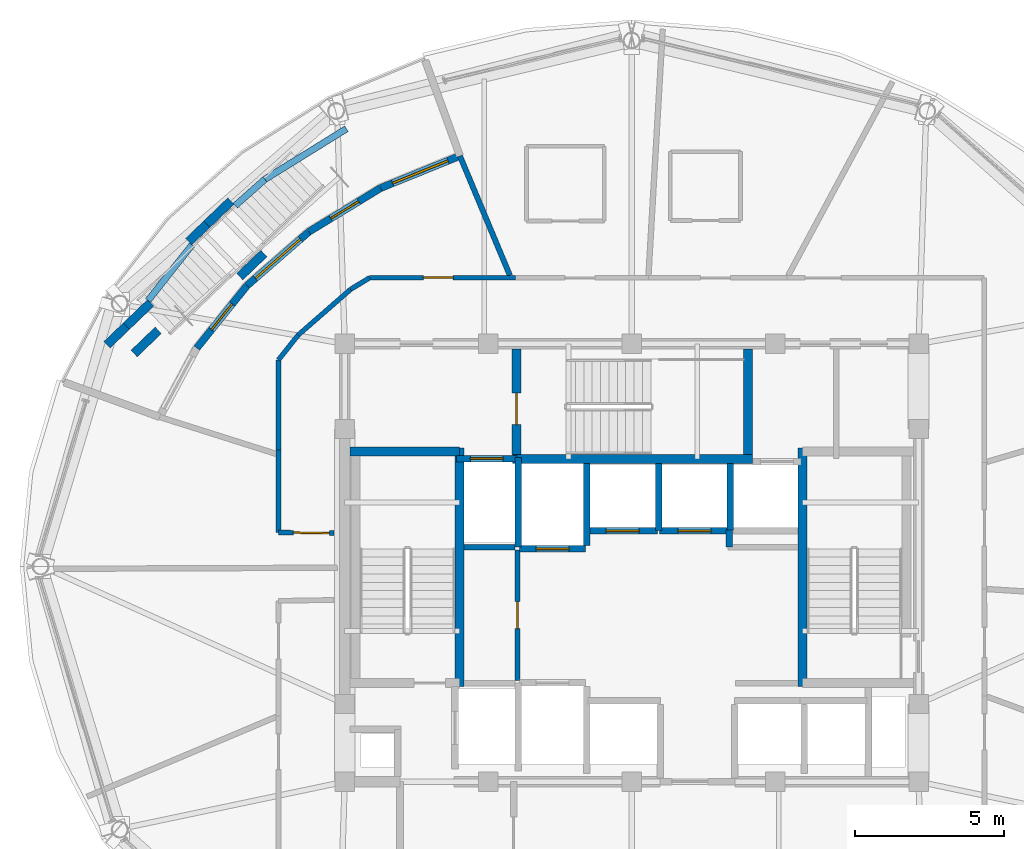
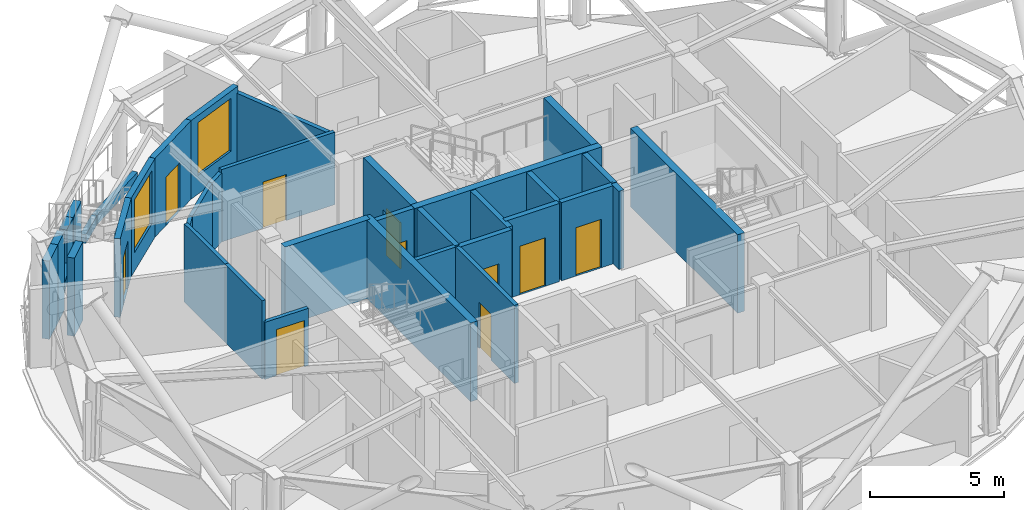
# One storey, part 9 of 16: 38 walls, 10 doors, 2 windows, 12 openings.
"""IFC4 building model written with IfcOpenShell, lengths in metres."""

from ifc_helpers import new_model, si_unit, direction, frame, frame_2d, origin, place, context, subcontext, project, spatial, rectangle, extrude, material, layer, layer_set, type_object, element, fill, save


model = new_model("IFC4")

# Units and contexts
model_context = context("Model", 3, precision=1e-05, world=origin(), true_north=direction((0.0, 1.0)))
body_context = subcontext(model_context, "Body", "Model", "MODEL_VIEW")
ifc_project = project(units=[si_unit("LENGTHUNIT", "METRE"), si_unit("AREAUNIT", "SQUARE_METRE"), si_unit("VOLUMEUNIT", "CUBIC_METRE"), si_unit("PLANEANGLEUNIT", "RADIAN"), si_unit("MASSUNIT", "GRAM", prefix="KILO")], contexts=[model_context])

# Site, building, storey
site_placement = place(None, origin())
site = spatial("IfcSite", under=ifc_project, at=site_placement, CompositionType="ELEMENT")
building_placement = place(site_placement, origin())
building = spatial("IfcBuilding", under=site, at=building_placement, Name="Vantalir Tower", CompositionType="ELEMENT")
storey_placement = place(building_placement, frame((0.0, 0.0, 267.60009765625)))
storey = spatial("IfcBuildingStorey", under=building, at=storey_placement, Name="L67", CompositionType="ELEMENT", Elevation=267.60009765625)

# Wall, opening, door
ifc_material_1 = material(Name="Fire-rated hotel corridor acoustic partition", Category="gypsum")
ifc_layer_1 = layer(ifc_material_1, 0.159912109375)
ifc_layer_set_1 = layer_set([ifc_layer_1], Name="Fire-rated hotel corridor acoustic partition")
wall_type_1 = type_object("IfcWallType", Name="WL-CORR-160", PredefinedType="PARTITIONING", material=ifc_layer_set_1)
wall_1_placement = place(storey_placement, frame((21.544921875, 26.116943359375, 0.0), z_axis=(0.0, 0.0, 1.0), x_axis=(-0.999936150721, 0.011300198287, 0.0)))
wall_1 = element("IfcWall", 1, at=wall_1_placement, inside=storey, type_object=wall_type_1, Name="L67 Corridor Partition 01", PredefinedType="PARTITIONING", context=body_context, shape_type="SweptSolid", body=[
    extrude(rectangle(XDim=1.85791015625, YDim=0.159912109375, at=frame_2d((0.928955078125, 0.0))), origin(), (0.0, 0.0, 1.0), 2.594970703125),
])
opening_1_placement = place(wall_1_placement, frame((0.159912109375, 0.0, 0.0)))
opening_1 = element("IfcOpeningElement", 2, at=opening_1_placement, cuts=wall_1, Name="Opening D-STE", PredefinedType="OPENING", context=body_context, shape_type="SweptSolid", body=[
    extrude(rectangle(XDim=1.199951171875, YDim=2.10009765625, at=frame_2d((0.60009765625, 1.050048828125))), frame((0.0, 0.08984375, 0.0), z_axis=(0.0, -1.0, 0.0), x_axis=(1.0, 0.0, 0.0)), (0.0, 0.0, 1.0), 0.179931640625),
])
ifc_material_2 = material(Name="Solid-core teak veneer suite entrance door", Category="wood")
door_type_1 = type_object("IfcDoorType", Name="DR-SUITE-ENTRY-1200", OperationType="NOTDEFINED", PredefinedType="DOOR", material=ifc_material_2)
door_1_placement = place(opening_1_placement, origin())
door_1 = element("IfcDoor", 3, at=door_1_placement, inside=storey, type_object=door_type_1, Name="L67 Executive Business Study 05 Door", OperationType="SINGLE_SWING_LEFT", OverallHeight=2.10009765625, OverallWidth=1.199951171875, PredefinedType="DOOR", context=body_context, shape_type="SweptSolid", body=[
    extrude(rectangle(XDim=1.199951171875, YDim=2.10009765625, at=frame_2d((0.60009765625, 1.050048828125))), frame((0.0, 0.02490234375, 0.0), z_axis=(0.0, -1.0, 0.0), x_axis=(1.0, 0.0, 0.0)), (0.0, 0.0, 1.0), 0.050048828125),
])
fill(opening_1, door_1)

# Walls
wall_2_placement = place(storey_placement, frame((19.68701171875, 26.137939453125, 0.0), z_axis=(0.0, 0.0, 1.0), x_axis=(-0.000353825719, 0.999999937404, 0.0)))
element("IfcWall", 4, at=wall_2_placement, inside=storey, type_object=wall_type_1, Name="L67 Corridor Partition 02", PredefinedType="PARTITIONING", context=body_context, shape_type="SweptSolid", body=[
    extrude(rectangle(XDim=2.760009765625, YDim=0.159912109375, at=frame_2d((1.3798828125, 0.0))), origin(), (0.0, 0.0, 1.0), 3.5498046875),
])
wall_3_placement = place(storey_placement, frame((19.68603515625, 28.89794921875, 0.0), z_axis=(0.0, 0.0, 1.0), x_axis=(-0.000323572221, 0.999999947651, 0.0)))
element("IfcWall", 5, at=wall_3_placement, inside=storey, type_object=wall_type_1, Name="L67 Corridor Partition 03", PredefinedType="PARTITIONING", context=body_context, shape_type="SweptSolid", body=[
    extrude(rectangle(XDim=3.01806640625, YDim=0.159912109375, at=frame_2d((1.509033203125, 0.0))), origin(), (0.0, 0.0, 1.0), 3.5498046875),
])
wall_4_placement = place(storey_placement, frame((19.68505859375, 31.916015625, 0.0), z_axis=(0.0, 0.0, 1.0), x_axis=(0.62162416412, 0.783315644286, 0.0)))
element("IfcWall", 6, at=wall_4_placement, inside=storey, type_object=wall_type_1, Name="L67 Corridor Partition 04", PredefinedType="PARTITIONING", context=body_context, shape_type="SweptSolid", body=[
    extrude(rectangle(XDim=1.058349609375, YDim=0.159912109375, at=frame_2d((0.529296875, 0.0))), origin(), (0.0, 0.0, 1.0), 3.1318359375),
])
wall_5_placement = place(storey_placement, frame((20.343017578125, 32.7451171875, 0.0), z_axis=(0.0, 0.0, 1.0), x_axis=(0.753823370435, 0.65707710825, 0.0)))
element("IfcWall", 7, at=wall_5_placement, inside=storey, type_object=wall_type_1, Name="L67 Corridor Partition 05", PredefinedType="PARTITIONING", context=body_context, shape_type="SweptSolid", body=[
    extrude(rectangle(XDim=2.32666015625, YDim=0.159912109375, at=frame_2d((1.163330078125, 0.0))), origin(), (0.0, 0.0, 1.0), 3.1318359375),
])
wall_6_placement = place(storey_placement, frame((22.096923828125, 34.27392578125, 0.0), z_axis=(0.0, 0.0, 1.0), x_axis=(0.854362609841, 0.519677333454, 0.0)))
element("IfcWall", 8, at=wall_6_placement, inside=storey, type_object=wall_type_1, Name="L67 Corridor Partition 06", PredefinedType="PARTITIONING", context=body_context, shape_type="SweptSolid", body=[
    extrude(rectangle(XDim=0.7470703125, YDim=0.159912109375, at=frame_2d((0.37353515625, 0.0))), origin(), (0.0, 0.0, 1.0), 3.1318359375),
])

# Wall, opening, door
wall_7_placement = place(storey_placement, frame((22.735107421875, 34.662109375, 0.0), z_axis=(0.0, 0.0, 1.0), x_axis=(1.0, 0.0, 0.0)))
wall_7 = element("IfcWall", 9, at=wall_7_placement, inside=storey, type_object=wall_type_1, Name="L67 Corridor Partition 07", PredefinedType="PARTITIONING", context=body_context, shape_type="SweptSolid", body=[
    extrude(rectangle(XDim=4.885986328125, YDim=0.159912109375, at=frame_2d((2.44287109375, 0.0))), origin(), (0.0, 0.0, 1.0), 3.288818359375),
])
opening_2_placement = place(wall_7_placement, frame((1.7939453125, 0.0, 0.0)))
opening_2 = element("IfcOpeningElement", 10, at=opening_2_placement, cuts=wall_7, Name="Opening D-GUEST", PredefinedType="OPENING", context=body_context, shape_type="SweptSolid", body=[
    extrude(rectangle(XDim=1.0, YDim=2.10009765625, at=frame_2d((0.5, 1.050048828125))), frame((0.0, 0.08984375, 0.0), z_axis=(0.0, -1.0, 0.0), x_axis=(1.0, 0.0, 0.0)), (0.0, 0.0, 1.0), 0.179931640625),
])
ifc_material_3 = material(Name="Solid-core teak veneer acoustic fire door", Category="wood")
door_type_2 = type_object("IfcDoorType", Name="DR-GUEST-ENTRY-1000", OperationType="NOTDEFINED", PredefinedType="DOOR", material=ifc_material_3)
door_2_placement = place(opening_2_placement, origin())
door_2 = element("IfcDoor", 11, at=door_2_placement, inside=storey, type_object=door_type_2, Name="L67 Sky Garden Conservatory Lounge 04 Door", OperationType="SINGLE_SWING_RIGHT", OverallHeight=2.10009765625, OverallWidth=1.0, PredefinedType="DOOR", context=body_context, shape_type="SweptSolid", body=[
    extrude(rectangle(XDim=1.0, YDim=2.10009765625, at=frame_2d((0.5, 1.050048828125))), frame((0.0, 0.02490234375, 0.0), z_axis=(0.0, -1.0, 0.0), x_axis=(1.0, 0.0, 0.0)), (0.0, 0.0, 1.0), 0.050048828125),
])
fill(opening_2, door_2)

# Wall, opening, window
ifc_material_4 = material(Name="Precast concrete C40/50 insulated sky-garden wall", Category="concrete")
ifc_layer_2 = layer(ifc_material_4, 0.239990234375)
ifc_layer_set_2 = layer_set([ifc_layer_2], Name="Precast concrete C40/50 insulated sky-garden wall")
wall_type_2 = type_object("IfcWallType", Name="WL-EXT-SG-240", PredefinedType="SOLIDWALL", material=ifc_layer_set_2)
wall_8_placement = place(storey_placement, frame((25.75390625, 38.739013671875, 0.0), z_axis=(0.0, 0.0, 1.0), x_axis=(-0.92661327387, -0.376015745266, 0.0)))
wall_8 = element("IfcWall", 12, at=wall_8_placement, inside=storey, type_object=wall_type_2, Name="L67 SG4 Sky-Garden Lounge Wall 1", PredefinedType="SOLIDWALL", context=body_context, shape_type="SweptSolid", body=[
    extrude(rectangle(XDim=2.864013671875, YDim=0.239990234375, at=frame_2d((1.43212890625, 0.0))), origin(), (0.0, 0.0, 1.0), 3.56982421875),
])
opening_3_placement = place(wall_8_placement, frame((0.431884765625, 0.0, 0.85009765625)))
opening_3 = element("IfcOpeningElement", 13, at=opening_3_placement, cuts=wall_8, Name="Opening WN-3", PredefinedType="OPENING", context=body_context, shape_type="SweptSolid", body=[
    extrude(rectangle(XDim=2.0, YDim=2.39990234375, at=frame_2d((1.0, 1.199951171875))), frame((0.0, 0.1298828125, 0.0), z_axis=(0.0, -1.0, 0.0), x_axis=(1.0, 0.0, 0.0)), (0.0, 0.0, 1.0), 0.260009765625),
])
ifc_material_5 = material(Name="Double-silver Low-E sky-garden lounge window", Category="glass")
window_type = type_object("IfcWindowType", Name="WIN-SG-2000x2400", PartitioningType="SINGLE_PANEL", PredefinedType="WINDOW", material=ifc_material_5)
window_1_placement = place(opening_3_placement, origin())
window_1 = element("IfcWindow", 14, at=window_1_placement, inside=storey, type_object=window_type, Name="L67 SG4 Sky-Garden Window 1", OverallHeight=2.39990234375, OverallWidth=2.0, PartitioningType="SINGLE_PANEL", PredefinedType="WINDOW", context=body_context, shape_type="SweptSolid", body=[
    extrude(rectangle(XDim=2.0, YDim=2.39990234375, at=frame_2d((1.0, 1.199951171875))), frame((0.0, 0.030029296875, 0.0), z_axis=(0.0, -1.0, 0.0), x_axis=(1.0, 0.0, 0.0)), (0.0, 0.0, 1.0), 0.06005859375),
])
fill(opening_3, window_1)

# Wall, opening, door
wall_9_placement = place(storey_placement, frame((23.10009765625, 37.662109375, 0.0), z_axis=(0.0, 0.0, 1.0), x_axis=(-0.853914852001, -0.520412745358, 0.0)))
wall_9 = element("IfcWall", 15, at=wall_9_placement, inside=storey, type_object=wall_type_2, Name="L67 SG4 Sky-Garden Lounge Wall 2", PredefinedType="SOLIDWALL", context=body_context, shape_type="SweptSolid", body=[
    extrude(rectangle(XDim=2.8095703125, YDim=0.239990234375, at=frame_2d((1.40478515625, 0.0))), origin(), (0.0, 0.0, 1.0), 3.56982421875),
])
opening_4_placement = place(wall_9_placement, frame((0.85498046875, 0.0, 0.0)))
opening_4 = element("IfcOpeningElement", 16, at=opening_4_placement, cuts=wall_9, Name="Opening D-TR", PredefinedType="OPENING", context=body_context, shape_type="SweptSolid", body=[
    extrude(rectangle(XDim=1.10009765625, YDim=2.199951171875, at=frame_2d((0.550048828125, 1.10009765625))), frame((0.0, 0.1298828125, 0.0), z_axis=(0.0, -1.0, 0.0), x_axis=(1.0, 0.0, 0.0)), (0.0, 0.0, 1.0), 0.260009765625),
])
ifc_material_6 = material(Name="Thermally broken Low-E glazed terrace door", Category="steel")
door_type_3 = type_object("IfcDoorType", Name="DR-EXT-TERR-1100", OperationType="NOTDEFINED", PredefinedType="DOOR", material=ifc_material_6)
door_3_placement = place(opening_4_placement, frame((1.10009765625, 0.0, 0.0), z_axis=(0.0, 0.0, 1.0), x_axis=(-1.0, 0.0, 0.0)))
door_3 = element("IfcDoor", 17, at=door_3_placement, inside=storey, type_object=door_type_3, Name="L67 SG4 Sky-Garden Terrace Door 1", OperationType="SINGLE_SWING_LEFT", OverallHeight=2.199951171875, OverallWidth=1.10009765625, PredefinedType="DOOR", context=body_context, shape_type="SweptSolid", body=[
    extrude(rectangle(XDim=1.10009765625, YDim=2.199951171875, at=frame_2d((0.550048828125, 1.10009765625))), frame((0.0, 0.02490234375, 0.0), z_axis=(0.0, -1.0, 0.0), x_axis=(1.0, 0.0, 0.0)), (0.0, 0.0, 1.0), 0.050048828125),
])
fill(opening_4, door_3)

# Wall, opening, window
wall_10_placement = place(storey_placement, frame((20.700927734375, 36.199951171875, 0.0), z_axis=(0.0, 0.0, 1.0), x_axis=(-0.754408287369, -0.656405466117, 0.0)))
wall_10 = element("IfcWall", 18, at=wall_10_placement, inside=storey, type_object=wall_type_2, Name="L67 SG4 Sky-Garden Lounge Wall 3", PredefinedType="SOLIDWALL", context=body_context, shape_type="SweptSolid", body=[
    extrude(rectangle(XDim=2.745361328125, YDim=0.239990234375, at=frame_2d((1.37255859375, 0.0))), origin(), (0.0, 0.0, 1.0), 3.56982421875),
])
opening_5_placement = place(wall_10_placement, frame((0.373046875, 0.0, 0.85009765625)))
opening_5 = element("IfcOpeningElement", 19, at=opening_5_placement, cuts=wall_10, Name="Opening WN-3", PredefinedType="OPENING", context=body_context, shape_type="SweptSolid", body=[
    extrude(rectangle(XDim=2.0, YDim=2.39990234375, at=frame_2d((1.0, 1.199951171875))), frame((0.0, 0.1298828125, 0.0), z_axis=(0.0, -1.0, 0.0), x_axis=(1.0, 0.0, 0.0)), (0.0, 0.0, 1.0), 0.260009765625),
])
window_2_placement = place(opening_5_placement, origin())
window_2 = element("IfcWindow", 20, at=window_2_placement, inside=storey, type_object=window_type, Name="L67 SG4 Sky-Garden Window 3", OverallHeight=2.39990234375, OverallWidth=2.0, PartitioningType="SINGLE_PANEL", PredefinedType="WINDOW", context=body_context, shape_type="SweptSolid", body=[
    extrude(rectangle(XDim=2.0, YDim=2.39990234375, at=frame_2d((1.0, 1.199951171875))), frame((0.0, 0.030029296875, 0.0), z_axis=(0.0, -1.0, 0.0), x_axis=(1.0, 0.0, 0.0)), (0.0, 0.0, 1.0), 0.06005859375),
])
fill(opening_5, window_2)

# Wall, opening, door
wall_11_placement = place(storey_placement, frame((18.6298828125, 34.39794921875, 0.0), z_axis=(0.0, 0.0, 1.0), x_axis=(-0.626660011425, -0.779292775586, 0.0)))
wall_11 = element("IfcWall", 21, at=wall_11_placement, inside=storey, type_object=wall_type_2, Name="L67 SG4 Sky-Garden Lounge Wall 4", PredefinedType="SOLIDWALL", context=body_context, shape_type="SweptSolid", body=[
    extrude(rectangle(XDim=2.67919921875, YDim=0.239990234375, at=frame_2d((1.339599609375, 0.0))), origin(), (0.0, 0.0, 1.0), 3.56982421875),
])
opening_6_placement = place(wall_11_placement, frame((0.7900390625, 0.0, 0.0)))
opening_6 = element("IfcOpeningElement", 22, at=opening_6_placement, cuts=wall_11, Name="Opening D-TR", PredefinedType="OPENING", context=body_context, shape_type="SweptSolid", body=[
    extrude(rectangle(XDim=1.10009765625, YDim=2.199951171875, at=frame_2d((0.550048828125, 1.10009765625))), frame((0.0, 0.1298828125, 0.0), z_axis=(0.0, -1.0, 0.0), x_axis=(1.0, 0.0, 0.0)), (0.0, 0.0, 1.0), 0.260009765625),
])
door_4_placement = place(opening_6_placement, frame((1.10009765625, 0.0, 0.0), z_axis=(0.0, 0.0, 1.0), x_axis=(-1.0, 0.0, 0.0)))
door_4 = element("IfcDoor", 23, at=door_4_placement, inside=storey, type_object=door_type_3, Name="L67 SG4 Sky-Garden Terrace Door 3", OperationType="SINGLE_SWING_RIGHT", OverallHeight=2.199951171875, OverallWidth=1.10009765625, PredefinedType="DOOR", context=body_context, shape_type="SweptSolid", body=[
    extrude(rectangle(XDim=1.10009765625, YDim=2.199951171875, at=frame_2d((0.550048828125, 1.10009765625))), frame((0.0, 0.02490234375, 0.0), z_axis=(0.0, -1.0, 0.0), x_axis=(1.0, 0.0, 0.0)), (0.0, 0.0, 1.0), 0.050048828125),
])
fill(opening_6, door_4)

# Walls
ifc_material_7 = material(Name="Concrete blockwork with fireboard lining", Category="masonry")
ifc_layer_3 = layer(ifc_material_7, 0.219970703125)
ifc_layer_set_3 = layer_set([ifc_layer_3], Name="Concrete blockwork with fireboard lining")
wall_type_3 = type_object("IfcWallType", Name="WL-FFL-220", PredefinedType="PARTITIONING", material=ifc_layer_set_3)
wall_12_placement = place(storey_placement, frame((30.0, 25.7099609375, 0.0), z_axis=(0.0, 0.0, 1.0), x_axis=(0.0, 1.0, 0.0)))
element("IfcWall", 24, at=wall_12_placement, inside=storey, type_object=wall_type_3, Name="L67 Service Lift SV2 East Shaft Wall", PredefinedType="PARTITIONING", context=body_context, shape_type="SweptSolid", body=[
    extrude(rectangle(XDim=2.72998046875, YDim=0.219970703125, at=frame_2d((1.364990234375, 0.0))), origin(), (0.0, 0.0, 1.0), 3.544921875),
])
wall_13_placement = place(storey_placement, frame((32.39990234375, 26.199951171875, 0.0), z_axis=(0.0, 0.0, 1.0), x_axis=(0.0, 1.0, 0.0)))
element("IfcWall", 25, at=wall_13_placement, inside=storey, type_object=wall_type_3, Name="L67 High-Rise Lift PL-H1/H2 Shaft Divider", PredefinedType="PARTITIONING", context=body_context, shape_type="SweptSolid", body=[
    extrude(rectangle(XDim=2.239990234375, YDim=0.219970703125, at=frame_2d((1.1201171875, 0.0))), origin(), (0.0, 0.0, 1.0), 3.544921875),
])
wall_14_placement = place(storey_placement, frame((34.800048828125, 26.22998046875, 0.0), z_axis=(0.0, 0.0, 1.0), x_axis=(0.0, 1.0, 0.0)))
element("IfcWall", 26, at=wall_14_placement, inside=storey, type_object=wall_type_3, Name="L67 High-Rise Lift PL-H2/H3 Shaft Divider", PredefinedType="PARTITIONING", context=body_context, shape_type="SweptSolid", body=[
    extrude(rectangle(XDim=2.2099609375, YDim=0.219970703125, at=frame_2d((1.10498046875, 0.0))), origin(), (0.0, 0.0, 1.0), 3.544921875),
])

# Wall, opening, door
wall_15_placement = place(storey_placement, frame((25.639892578125, 28.610107421875, 0.0), z_axis=(0.0, 0.0, 1.0), x_axis=(1.0, 0.0, 0.0)))
wall_15 = element("IfcWall", 27, at=wall_15_placement, inside=storey, type_object=wall_type_3, Name="L67 Lift FL2 Shaft Front Wall", PredefinedType="PARTITIONING", context=body_context, shape_type="SweptSolid", body=[
    extrude(rectangle(XDim=2.02001953125, YDim=0.219970703125, at=frame_2d((1.010009765625, 0.0))), origin(), (0.0, 0.0, 1.0), 3.5498046875),
])
opening_7_placement = place(wall_15_placement, frame((0.4599609375, 0.0, 0.0)))
opening_7 = element("IfcOpeningElement", 28, at=opening_7_placement, cuts=wall_15, Name="Opening LD-FL2", PredefinedType="OPENING", context=body_context, shape_type="SweptSolid", body=[
    extrude(rectangle(XDim=1.10009765625, YDim=2.199951171875, at=frame_2d((0.550048828125, 1.10009765625))), frame((0.0, 0.119873046875, 0.0), z_axis=(0.0, -1.0, 0.0), x_axis=(1.0, 0.0, 0.0)), (0.0, 0.0, 1.0), 0.239990234375),
])
ifc_material_8 = material(Name="Brushed stainless-steel sliding lift landing door", Category="steel")
door_type_4 = type_object("IfcDoorType", Name="DR-LIFT-LANDING-1100", OperationType="DOUBLE_DOOR_SLIDING", PredefinedType="DOOR", material=ifc_material_8)
door_5_placement = place(opening_7_placement, origin())
door_5 = element("IfcDoor", 29, at=door_5_placement, inside=storey, type_object=door_type_4, Name="L67 Lift Landing Door FL2", OperationType="DOUBLE_DOOR_SLIDING", OverallHeight=2.199951171875, OverallWidth=1.10009765625, PredefinedType="DOOR", context=body_context, shape_type="SweptSolid", body=[
    extrude(rectangle(XDim=1.10009765625, YDim=2.199951171875, at=frame_2d((0.550048828125, 1.10009765625))), frame((0.0, 0.02490234375, 0.0), z_axis=(0.0, -1.0, 0.0), x_axis=(1.0, 0.0, 0.0)), (0.0, 0.0, 1.0), 0.050048828125),
])
fill(opening_7, door_5)

wall_16_placement = place(storey_placement, frame((27.739990234375, 25.590087890625, 0.0), z_axis=(0.0, 0.0, 1.0), x_axis=(1.0, 0.0, 0.0)))
wall_16 = element("IfcWall", 30, at=wall_16_placement, inside=storey, type_object=wall_type_3, Name="L67 Lift SV2 Shaft Front Wall", PredefinedType="PARTITIONING", context=body_context, shape_type="SweptSolid", body=[
    extrude(rectangle(XDim=2.219970703125, YDim=0.219970703125, at=frame_2d((1.10986328125, 0.0))), origin(), (0.0, 0.0, 1.0), 3.5498046875),
])
opening_8_placement = place(wall_16_placement, frame((0.56005859375, 0.0, 0.0)))
opening_8 = element("IfcOpeningElement", 31, at=opening_8_placement, cuts=wall_16, Name="Opening LD-SV2", PredefinedType="OPENING", context=body_context, shape_type="SweptSolid", body=[
    extrude(rectangle(XDim=1.10009765625, YDim=2.199951171875, at=frame_2d((0.550048828125, 1.10009765625))), frame((0.0, 0.119873046875, 0.0), z_axis=(0.0, -1.0, 0.0), x_axis=(1.0, 0.0, 0.0)), (0.0, 0.0, 1.0), 0.239990234375),
])
door_6_placement = place(opening_8_placement, frame((1.10009765625, 0.0, 0.0), z_axis=(0.0, 0.0, 1.0), x_axis=(-1.0, 0.0, 0.0)))
door_6 = element("IfcDoor", 32, at=door_6_placement, inside=storey, type_object=door_type_4, Name="L67 Lift Landing Door SV2", OperationType="DOUBLE_DOOR_SLIDING", OverallHeight=2.199951171875, OverallWidth=1.10009765625, PredefinedType="DOOR", context=body_context, shape_type="SweptSolid", body=[
    extrude(rectangle(XDim=1.10009765625, YDim=2.199951171875, at=frame_2d((0.550048828125, 1.10009765625))), frame((0.0, 0.02490234375, 0.0), z_axis=(0.0, -1.0, 0.0), x_axis=(1.0, 0.0, 0.0)), (0.0, 0.0, 1.0), 0.050048828125),
])
fill(opening_8, door_6)

wall_17_placement = place(storey_placement, frame((30.0400390625, 26.18994140625, 0.0), z_axis=(0.0, 0.0, 1.0), x_axis=(1.0, 0.0, 0.0)))
wall_17 = element("IfcWall", 33, at=wall_17_placement, inside=storey, type_object=wall_type_3, Name="L67 Lift PL-H1 Shaft Front Wall", PredefinedType="PARTITIONING", context=body_context, shape_type="SweptSolid", body=[
    extrude(rectangle(XDim=2.320068359375, YDim=0.219970703125, at=frame_2d((1.16015625, 0.0))), origin(), (0.0, 0.0, 1.0), 3.5498046875),
])
opening_9_placement = place(wall_17_placement, frame((0.610107421875, 0.0, 0.0)))
opening_9 = element("IfcOpeningElement", 34, at=opening_9_placement, cuts=wall_17, Name="Opening LD-PL-H1", PredefinedType="OPENING", context=body_context, shape_type="SweptSolid", body=[
    extrude(rectangle(XDim=1.10009765625, YDim=2.199951171875, at=frame_2d((0.550048828125, 1.10009765625))), frame((0.0, 0.119873046875, 0.0), z_axis=(0.0, -1.0, 0.0), x_axis=(1.0, 0.0, 0.0)), (0.0, 0.0, 1.0), 0.239990234375),
])
door_7_placement = place(opening_9_placement, frame((1.10009765625, 0.0, 0.0), z_axis=(0.0, 0.0, 1.0), x_axis=(-1.0, 0.0, 0.0)))
door_7 = element("IfcDoor", 35, at=door_7_placement, inside=storey, type_object=door_type_4, Name="L67 Lift Landing Door PL-H1", OperationType="DOUBLE_DOOR_SLIDING", OverallHeight=2.199951171875, OverallWidth=1.10009765625, PredefinedType="DOOR", context=body_context, shape_type="SweptSolid", body=[
    extrude(rectangle(XDim=1.10009765625, YDim=2.199951171875, at=frame_2d((0.550048828125, 1.10009765625))), frame((0.0, 0.02490234375, 0.0), z_axis=(0.0, -1.0, 0.0), x_axis=(1.0, 0.0, 0.0)), (0.0, 0.0, 1.0), 0.050048828125),
])
fill(opening_9, door_7)

wall_18_placement = place(storey_placement, frame((32.43994140625, 26.18994140625, 0.0), z_axis=(0.0, 0.0, 1.0), x_axis=(1.0, 0.0, 0.0)))
wall_18 = element("IfcWall", 36, at=wall_18_placement, inside=storey, type_object=wall_type_3, Name="L67 Lift PL-H2 Shaft Front Wall", PredefinedType="PARTITIONING", context=body_context, shape_type="SweptSolid", body=[
    extrude(rectangle(XDim=2.320068359375, YDim=0.219970703125, at=frame_2d((1.16015625, 0.0))), origin(), (0.0, 0.0, 1.0), 3.5498046875),
])
opening_10_placement = place(wall_18_placement, frame((0.610107421875, 0.0, 0.0)))
opening_10 = element("IfcOpeningElement", 37, at=opening_10_placement, cuts=wall_18, Name="Opening LD-PL-H2", PredefinedType="OPENING", context=body_context, shape_type="SweptSolid", body=[
    extrude(rectangle(XDim=1.10009765625, YDim=2.199951171875, at=frame_2d((0.550048828125, 1.10009765625))), frame((0.0, 0.119873046875, 0.0), z_axis=(0.0, -1.0, 0.0), x_axis=(1.0, 0.0, 0.0)), (0.0, 0.0, 1.0), 0.239990234375),
])
door_8_placement = place(opening_10_placement, frame((1.10009765625, 0.0, 0.0), z_axis=(0.0, 0.0, 1.0), x_axis=(-1.0, 0.0, 0.0)))
door_8 = element("IfcDoor", 38, at=door_8_placement, inside=storey, type_object=door_type_4, Name="L67 Lift Landing Door PL-H2", OperationType="DOUBLE_DOOR_SLIDING", OverallHeight=2.199951171875, OverallWidth=1.10009765625, PredefinedType="DOOR", context=body_context, shape_type="SweptSolid", body=[
    extrude(rectangle(XDim=1.10009765625, YDim=2.199951171875, at=frame_2d((0.550048828125, 1.10009765625))), frame((0.0, 0.02490234375, 0.0), z_axis=(0.0, -1.0, 0.0), x_axis=(1.0, 0.0, 0.0)), (0.0, 0.0, 1.0), 0.050048828125),
])
fill(opening_10, door_8)

# Walls
wall_19_placement = place(storey_placement, frame((27.699951171875, 25.64990234375, 0.0), z_axis=(0.0, 0.0, 1.0), x_axis=(0.0, 1.0, 0.0)))
element("IfcWall", 39, at=wall_19_placement, inside=storey, type_object=wall_type_3, Name="L67 Fire Lift FL2 Dividing Wall", PredefinedType="PARTITIONING", context=body_context, shape_type="SweptSolid", body=[
    extrude(rectangle(XDim=3.0, YDim=0.219970703125, at=frame_2d((1.5, 0.0))), origin(), (0.0, 0.0, 1.0), 3.5498046875),
])
wall_20_placement = place(storey_placement, frame((34.760009765625, 25.64990234375, 0.0), z_axis=(0.0, 0.0, 1.0), x_axis=(0.0, 1.0, 0.0)))
element("IfcWall", 40, at=wall_20_placement, inside=storey, type_object=wall_type_3, Name="L67 High-Rise Shaft Shoulder Wall", PredefinedType="PARTITIONING", context=body_context, shape_type="SweptSolid", body=[
    extrude(rectangle(XDim=0.570068359375, YDim=0.219970703125, at=frame_2d((0.28515625, 0.0))), origin(), (0.0, 0.0, 1.0), 3.5498046875),
])
ifc_material_9 = material(Name="Twin-stud acoustic fire-rated gypsum partition", Category="gypsum")
ifc_layer_4 = layer(ifc_material_9, 0.179931640625)
ifc_layer_set_4 = layer_set([ifc_layer_4], Name="Twin-stud acoustic fire-rated gypsum partition")
wall_type_4 = type_object("IfcWallType", Name="WL-GUEST-180", PredefinedType="PARTITIONING", material=ifc_layer_set_4)
wall_21_placement = place(storey_placement, frame((25.889892578125, 25.64990234375, 0.0), z_axis=(0.0, 0.0, 1.0), x_axis=(1.0, 0.0, 0.0)))
element("IfcWall", 41, at=wall_21_placement, inside=storey, type_object=wall_type_4, Name="L67 Freed West Core North Wall", PredefinedType="PARTITIONING", context=body_context, shape_type="SweptSolid", body=[
    extrude(rectangle(XDim=1.7001953125, YDim=0.179931640625, at=frame_2d((0.85009765625, 0.0))), origin(), (0.0, 0.0, 1.0), 3.5498046875),
])

# Wall, opening, door
wall_22_placement = place(storey_placement, frame((27.679931640625, 21.18994140625, 0.0), z_axis=(0.0, 0.0, 1.0), x_axis=(0.0, 1.0, 0.0)))
wall_22 = element("IfcWall", 42, at=wall_22_placement, inside=storey, type_object=wall_type_4, Name="L67 West Pantry East Wall", PredefinedType="PARTITIONING", context=body_context, shape_type="SweptSolid", body=[
    extrude(rectangle(XDim=4.3701171875, YDim=0.179931640625, at=frame_2d((2.18505859375, 0.0))), origin(), (0.0, 0.0, 1.0), 3.5498046875),
])
opening_11_placement = place(wall_22_placement, frame((1.735107421875, 0.0, 0.0)))
opening_11 = element("IfcOpeningElement", 43, at=opening_11_placement, cuts=wall_22, Name="Opening D-CR", PredefinedType="OPENING", context=body_context, shape_type="SweptSolid", body=[
    extrude(rectangle(XDim=0.89990234375, YDim=2.10009765625, at=frame_2d((0.449951171875, 1.050048828125))), frame((0.0, 0.099853515625, 0.0), z_axis=(0.0, -1.0, 0.0), x_axis=(1.0, 0.0, 0.0)), (0.0, 0.0, 1.0), 0.199951171875),
])
ifc_material_10 = material(Name="Fire-rated steel core service door", Category="steel")
door_type_5 = type_object("IfcDoorType", Name="DR-CORE-SERV-900", OperationType="NOTDEFINED", PredefinedType="DOOR", material=ifc_material_10)
door_9_placement = place(opening_11_placement, origin())
door_9 = element("IfcDoor", 44, at=door_9_placement, inside=storey, type_object=door_type_5, Name="L67 Core Pantry Door", OperationType="SINGLE_SWING_LEFT", OverallHeight=2.10009765625, OverallWidth=0.89990234375, PredefinedType="DOOR", context=body_context, shape_type="SweptSolid", body=[
    extrude(rectangle(XDim=0.89990234375, YDim=2.10009765625, at=frame_2d((0.449951171875, 1.050048828125))), frame((0.0, 0.02490234375, 0.0), z_axis=(0.0, -1.0, 0.0), x_axis=(1.0, 0.0, 0.0)), (0.0, 0.0, 1.0), 0.050048828125),
])
fill(opening_11, door_9)

# Walls
wall_23_placement = place(storey_placement, frame((27.426025390625, 34.739990234375, 0.0), z_axis=(0.0, 0.0, 1.0), x_axis=(-0.38576690576, 0.922596279215, 0.0)))
element("IfcWall", 45, at=wall_23_placement, inside=storey, type_object=wall_type_4, Name="L67 Radial Suite Partition 04", PredefinedType="PARTITIONING", context=body_context, shape_type="SweptSolid", body=[
    extrude(rectangle(XDim=4.33447265625, YDim=0.179931640625, at=frame_2d((2.167236328125, 0.0))), origin(), (0.0, 0.0, 1.0), 3.288818359375),
])
ifc_material_11 = material(Name="Concrete C40/50 sky-garden PLANTER kerb", Category="concrete")
ifc_layer_5 = layer(ifc_material_11, 0.219970703125)
ifc_layer_set_5 = layer_set([ifc_layer_5], Name="Concrete C40/50 sky-garden PLANTER kerb")
wall_type_5 = type_object("IfcWallType", Name="WL-PLANTER-220", PredefinedType="PARAPET", material=ifc_layer_set_5)
wall_24_placement = place(storey_placement, frame((21.955078125, 39.64501953125, 0.0), z_axis=(0.0, 0.0, 1.0), x_axis=(-0.849934052336, -0.52688908385, 0.0)))
element("IfcWall", 46, at=wall_24_placement, inside=storey, type_object=wall_type_5, Name="L67 SG4 Tropical Sky-Garden PLANTER Bed 1", PredefinedType="PARAPET", context=body_context, shape_type="SweptSolid", body=[
    extrude(rectangle(XDim=3.207275390625, YDim=0.219970703125, at=frame_2d((1.603515625, 0.0))), origin(), (0.0, 0.0, 1.0), 0.419921875),
])
wall_25_placement = place(storey_placement, frame((19.22900390625, 37.955078125, 0.0), z_axis=(0.0, 0.0, 1.0), x_axis=(-0.748415579277, -0.663230066188, 0.0)))
element("IfcWall", 47, at=wall_25_placement, inside=storey, type_object=wall_type_5, Name="L67 SG4 Tropical Sky-Garden PLANTER Bed 2", PredefinedType="PARAPET", context=body_context, shape_type="SweptSolid", body=[
    extrude(rectangle(XDim=1.323974609375, YDim=0.219970703125, at=frame_2d((0.662109375, 0.0))), origin(), (0.0, 0.0, 1.0), 0.419921875),
])
wall_26_placement = place(storey_placement, frame((16.787109375, 35.757080078125, 0.0), z_axis=(0.0, 0.0, 1.0), x_axis=(-0.619955960469, -0.784636608297, 0.0)))
element("IfcWall", 48, at=wall_26_placement, inside=storey, type_object=wall_type_5, Name="L67 SG4 Tropical Sky-Garden PLANTER Bed 3", PredefinedType="PARAPET", context=body_context, shape_type="SweptSolid", body=[
    extrude(rectangle(XDim=2.361572265625, YDim=0.219970703125, at=frame_2d((1.1806640625, 0.0))), origin(), (0.0, 0.0, 1.0), 0.419921875),
])
ifc_material_12 = material(Name="Concrete C50/60", Category="concrete")
ifc_layer_6 = layer(ifc_material_12, 0.300048828125)
ifc_layer_set_6 = layer_set([ifc_layer_6], Name="Concrete C50/60")
wall_type_6 = type_object("IfcWallType", Name="WL-STAIR-300", PredefinedType="SHEAR", material=ifc_layer_set_6)
wall_27_placement = place(storey_placement, frame((22.074951171875, 28.85009765625, 0.0), z_axis=(0.0, 0.0, 1.0), x_axis=(1.0, 0.0, 0.0)))
element("IfcWall", 49, at=wall_27_placement, inside=storey, type_object=wall_type_6, Name="L67 Stair ST1 North Wall", PredefinedType="SHEAR", context=body_context, shape_type="SweptSolid", body=[
    extrude(rectangle(XDim=3.6650390625, YDim=0.300048828125, at=frame_2d((1.83251953125, 0.0))), origin(), (0.0, 0.0, 1.0), 3.56982421875),
])
for number, where, z_axis, x_axis, name in (
    (50, (25.739990234375, 20.97998046875, 0.0), (0.0, 0.0, 1.0), (0.0, 1.0, 0.0), "L67 Stair ST1 East Wall"),
    (51, (37.2099609375, 20.97998046875, 0.0), (0.0, 0.0, 1.0), (0.0, 1.0, 0.0), "L67 Stair ST2 West Wall"),
):
    element("IfcWall", number, at=place(storey_placement, frame(where, z_axis=z_axis, x_axis=x_axis)), inside=storey, type_object=wall_type_6, Name=name, PredefinedType="SHEAR", context=body_context, shape_type="SweptSolid", body=[
        extrude(rectangle(XDim=7.989990234375, YDim=0.300048828125, at=frame_2d((3.9951171875, 0.0))), origin(), (0.0, 0.0, 1.0), 3.56982421875),
    ])
wall_28_placement = place(storey_placement, frame((27.510009765625, 28.60009765625, 0.0), z_axis=(0.0, 0.0, 1.0), x_axis=(1.0, 0.0, 0.0)))
element("IfcWall", 52, at=wall_28_placement, inside=storey, type_object=wall_type_6, Name="L67 Stair ST3 South Wall", PredefinedType="SHEAR", context=body_context, shape_type="SweptSolid", body=[
    extrude(rectangle(XDim=8.030029296875, YDim=0.300048828125, at=frame_2d((4.01513671875, 0.0))), origin(), (0.0, 0.0, 1.0), 3.56982421875),
])

# Wall, opening, door
wall_29_placement = place(storey_placement, frame((27.64990234375, 28.75, 0.0), z_axis=(0.0, 0.0, 1.0), x_axis=(0.0, 1.0, 0.0)))
wall_29 = element("IfcWall", 53, at=wall_29_placement, inside=storey, type_object=wall_type_6, Name="L67 Stair ST3 West Wall", PredefinedType="SHEAR", context=body_context, shape_type="SweptSolid", body=[
    extrude(rectangle(XDim=3.52490234375, YDim=0.300048828125, at=frame_2d((1.762451171875, 0.0))), origin(), (0.0, 0.0, 1.0), 3.56982421875),
])
opening_12_placement = place(wall_29_placement, frame((1.0, 0.0, 0.0)))
opening_12 = element("IfcOpeningElement", 54, at=opening_12_placement, cuts=wall_29, Name="Opening D-ST", PredefinedType="OPENING", context=body_context, shape_type="SweptSolid", body=[
    extrude(rectangle(XDim=1.050048828125, YDim=2.10009765625, at=frame_2d((0.52490234375, 1.050048828125))), frame((0.0, 0.159912109375, 0.0), z_axis=(0.0, -1.0, 0.0), x_axis=(1.0, 0.0, 0.0)), (0.0, 0.0, 1.0), 0.320068359375),
])
ifc_material_13 = material(Name="Fire-rated steel door leaf", Category="steel")
door_type_6 = type_object("IfcDoorType", Name="DR-FIRE-STAIR-1050", OperationType="NOTDEFINED", PredefinedType="DOOR", material=ifc_material_13)
door_10_placement = place(opening_12_placement, frame((1.050048828125, 0.0, 0.0), z_axis=(0.0, 0.0, 1.0), x_axis=(-1.0, 0.0, 0.0)))
door_10 = element("IfcDoor", 55, at=door_10_placement, inside=storey, type_object=door_type_6, Name="L67 Exit Stair ST3 Fire Door", OperationType="SINGLE_SWING_RIGHT", OverallHeight=2.10009765625, OverallWidth=1.050048828125, PredefinedType="DOOR", context=body_context, shape_type="SweptSolid", body=[
    extrude(rectangle(XDim=1.050048828125, YDim=2.10009765625, at=frame_2d((0.52490234375, 1.050048828125))), frame((0.0, 0.02490234375, 0.0), z_axis=(0.0, -1.0, 0.0), x_axis=(1.0, 0.0, 0.0)), (0.0, 0.0, 1.0), 0.050048828125),
])
fill(opening_12, door_10)

# Walls
wall_30_placement = place(storey_placement, frame((35.39990234375, 28.75, 0.0), z_axis=(0.0, 0.0, 1.0), x_axis=(0.0, 1.0, 0.0)))
element("IfcWall", 56, at=wall_30_placement, inside=storey, type_object=wall_type_6, Name="L67 Stair ST3 East Wall", PredefinedType="SHEAR", context=body_context, shape_type="SweptSolid", body=[
    extrude(rectangle(XDim=3.52490234375, YDim=0.300048828125, at=frame_2d((1.762451171875, 0.0))), origin(), (0.0, 0.0, 1.0), 3.56982421875),
])
for number, where, z_axis, x_axis, name in (
    (57, (18.093017578125, 37.22802734375, 0.0), (0.0, 0.0, 1.0), (-0.721234903545, -0.692690561441, 0.0), "L67 Sky Garden Stair SG4 Support Pier M1"),
    (58, (17.487060546875, 36.64599609375, 0.0), (0.0, 0.0, 1.0), (-0.72134377017, -0.692577190815, 0.0), "L67 Sky Garden Stair SG4 Support Pier M2"),
    (59, (19.196044921875, 35.472900390625, 0.0), (0.0, 0.0, 1.0), (-0.72134377017, -0.692577190815, 0.0), "L67 Sky Garden Stair SG4 Support Pier M3"),
):
    element("IfcWall", number, at=place(storey_placement, frame(where, z_axis=z_axis, x_axis=x_axis)), inside=storey, type_object=wall_type_6, Name=name, PredefinedType="SHEAR", context=body_context, shape_type="SweptSolid", body=[
        extrude(rectangle(XDim=1.120361328125, YDim=0.300048828125, at=frame_2d((0.56005859375, 0.0))), origin(), (0.0, 0.0, 1.0), 1.919921875),
    ])
for number, where, z_axis, x_axis, name in (
    (60, (15.404052734375, 33.820068359375, 0.0), (0.0, 0.0, 1.0), (-0.721234903545, -0.692690561441, 0.0), "L67 Sky Garden Stair SG4 Support Pier T1"),
    (61, (14.7548828125, 33.196044921875, 0.0), (0.0, 0.0, 1.0), (-0.721130328114, -0.692799429759, 0.0), "L67 Sky Garden Stair SG4 Support Pier T2"),
    (62, (15.660888671875, 32.902099609375, 0.0), (0.0, 0.0, 1.0), (-0.721130328114, -0.692799429759, 0.0), "L67 Sky Garden Stair SG4 Support Pier T3"),
):
    element("IfcWall", number, at=place(storey_placement, frame(where, z_axis=z_axis, x_axis=x_axis)), inside=storey, type_object=wall_type_6, Name=name, PredefinedType="SHEAR", context=body_context, shape_type="SweptSolid", body=[
        extrude(rectangle(XDim=1.120361328125, YDim=0.300048828125, at=frame_2d((0.56005859375, 0.0))), origin(), (0.0, 0.0, 1.0), 3.5498046875),
    ])

save(model, "model.ifc")
